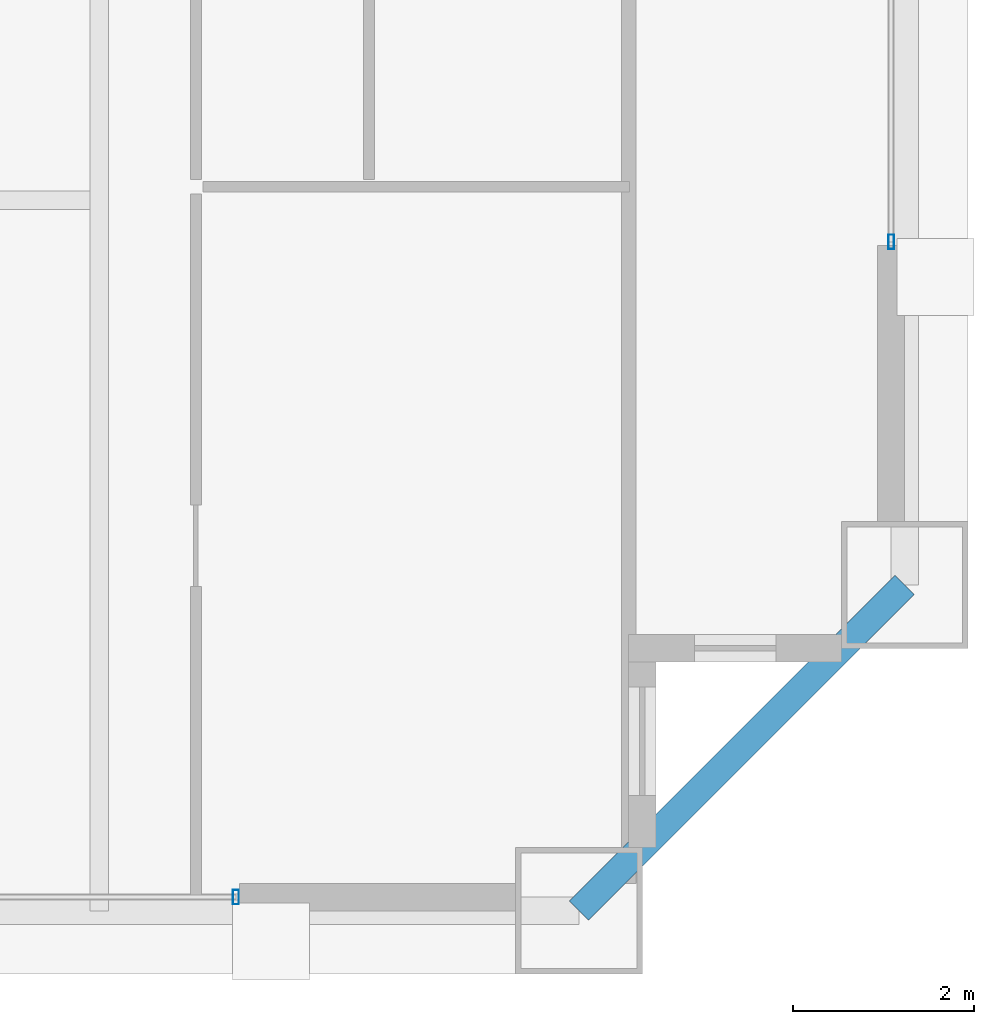
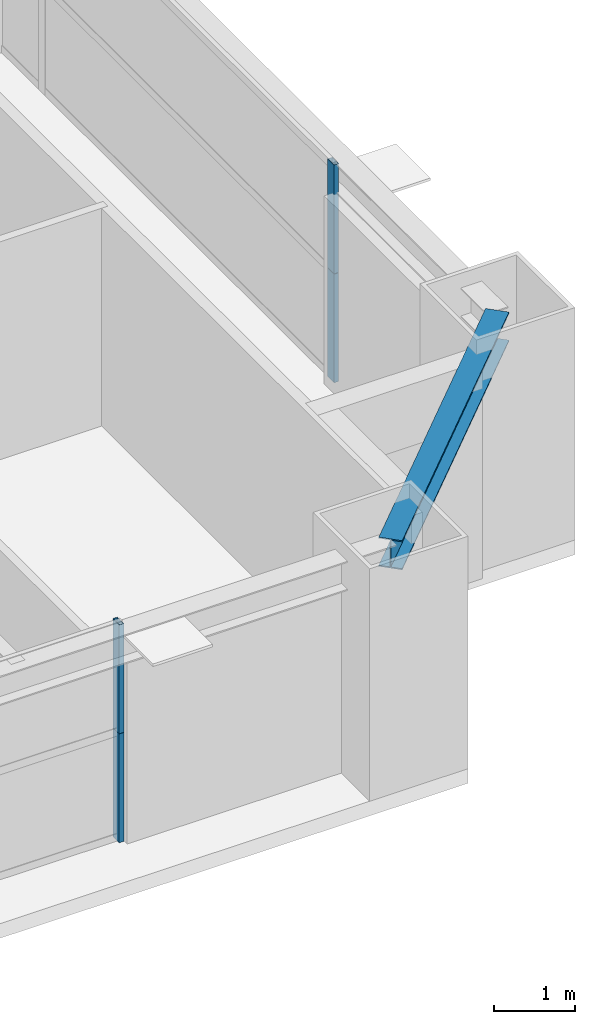
# One storey, part 16 of 38: 4 members, 1 beam, 2 elements without a shape of their own.
"""IFC4 building model written with IfcOpenShell, lengths in metres."""

import ifcopenshell
import ifcopenshell.guid

model = None  # the IFC model being written
_history = None  # IfcOwnerHistory: only IFC2X3 demands one
_inside = {}  # id of a spatial element -> (the spatial element, [elements in it])
_under = {}  # id of a project, library or spatial element -> (it, [spatial elements below it])
_declared = {}  # id of a project -> (the project, [libraries it declares])
_typed = {}  # id of a type object -> (the type object, [elements of that type])
_made_of = {}  # id of a material, layer set ... -> (it, [elements and type objects made of it])


def new_model(schema):
    """Start an empty IFC model of exactly this schema.

    Asked for "IFC4X3", IfcOpenShell would pick the latest addendum, in which some entities
    have other attributes; the version numbers below select the first issue.
    IFC2X3 requires an IfcOwnerHistory on every rooted entity: one is made here for all.
    """
    global model, _history
    if schema == "IFC4X3":
        model = ifcopenshell.file(schema_version=(4, 3, 0, 0))
    else:
        model = ifcopenshell.file(schema=schema)
    _inside.clear()
    _under.clear()
    _declared.clear()
    _typed.clear()
    _made_of.clear()
    _history = None
    if model.schema == "IFC2X3":
        org = make("IfcOrganization", Name="unknown")
        user = make(
            "IfcPersonAndOrganization",
            ThePerson=make("IfcPerson", FamilyName="unknown"),
            TheOrganization=org,
        )
        app = make(
            "IfcApplication",
            ApplicationDeveloper=org,
            Version="unknown",
            ApplicationFullName="unknown",
            ApplicationIdentifier="unknown",
        )
        _history = make(
            "IfcOwnerHistory",
            OwningUser=user,
            OwningApplication=app,
            ChangeAction="ADDED",
            CreationDate=0,
        )
    return model


def make(cls, **values):
    """One entity of the class cls with the attributes given. An attribute that is None is left unset."""
    return model.create_entity(
        cls, **{name: value for name, value in values.items() if value is not None}
    )


def rooted(cls, **values):
    """An entity with a GlobalId (a new one), such as an element, a storey or a relation."""
    return make(cls, GlobalId=ifcopenshell.guid.new(), OwnerHistory=_history, **values)


def si_unit(unit_type, name, prefix=None):
    """IfcSIUnit, for example si_unit("LENGTHUNIT", "METRE", prefix="MILLI")."""
    return make("IfcSIUnit", UnitType=unit_type, Prefix=prefix, Name=name)


def assignment(units):
    """IfcUnitAssignment: the units of a project."""
    return None if units is None else make("IfcUnitAssignment", Units=units)


def point(xyz):
    """IfcCartesianPoint."""
    return None if xyz is None else make("IfcCartesianPoint", Coordinates=xyz)


def direction(xyz):
    """IfcDirection."""
    return None if xyz is None else make("IfcDirection", DirectionRatios=xyz)


def frame(location, z_axis=None, x_axis=None):
    """IfcAxis2Placement3D, a coordinate frame: its origin and axes. An axis left out is left unset."""
    return make(
        "IfcAxis2Placement3D",
        Location=point(location),
        Axis=direction(z_axis),
        RefDirection=direction(x_axis),
    )


def frame_2d(location, x_axis=None):
    """IfcAxis2Placement2D, a coordinate frame in the plane: its origin and x axis."""
    return make(
        "IfcAxis2Placement2D", Location=point(location), RefDirection=direction(x_axis)
    )


def origin():
    """The frame at (0, 0, 0) with its axes left unset."""
    return frame((0.0, 0.0, 0.0))


def origin_2d():
    """The frame at (0, 0) in the plane with its x axis left unset."""
    return frame_2d((0.0, 0.0))


def place(relative_to, where):
    """IfcLocalPlacement: puts the frame where relative to a parent placement (None: the world)."""
    return make(
        "IfcLocalPlacement", PlacementRelTo=relative_to, RelativePlacement=where
    )


def context(
    kind, dimensions, precision=None, world=None, true_north=None, identifier=None
):
    """IfcGeometricRepresentationContext, for example the 3D "Model" context."""
    return make(
        "IfcGeometricRepresentationContext",
        ContextIdentifier=identifier,
        ContextType=kind,
        CoordinateSpaceDimension=dimensions,
        Precision=precision,
        WorldCoordinateSystem=world,
        TrueNorth=true_north,
    )


def subcontext(parent, identifier, kind, view, scale=None):
    """IfcGeometricRepresentationSubContext, for example "Body" below "Model"."""
    return make(
        "IfcGeometricRepresentationSubContext",
        ContextIdentifier=identifier,
        ContextType=kind,
        ParentContext=parent,
        TargetScale=scale,
        TargetView=view,
    )


def project(units=None, contexts=None):
    """IfcProject with its units and contexts."""
    return rooted(
        "IfcProject",
        Name="project",
        RepresentationContexts=contexts,
        UnitsInContext=assignment(units),
    )


def spatial(cls, under=None, at=None, **own):
    """A site, building, storey or space (cls), placed at a placement, below another one or the project."""
    s = rooted(cls, ObjectPlacement=at, **own)
    if under is not None:
        _under.setdefault(under.id(), (under, []))[1].append(s)
    return s


def profile(cls, at=None, kind="AREA", **sizes):
    """A parametric profile (cls). Its sizes go by their IFC names, for example OverallWidth=200.0."""
    return make(cls, ProfileType=kind, Position=at, **sizes)


def hollow_rectangle(**sizes):
    """IfcRectangleHollowProfileDef."""
    return profile("IfcRectangleHollowProfileDef", **sizes)


def i_section(**sizes):
    """IfcIShapeProfileDef."""
    return profile("IfcIShapeProfileDef", **sizes)


def extrude(swept, where, along, depth):
    """IfcExtrudedAreaSolid: the profile swept, set in the frame where, extruded along a direction by depth."""
    return make(
        "IfcExtrudedAreaSolid",
        SweptArea=swept,
        Position=where,
        ExtrudedDirection=direction(along),
        Depth=depth,
    )


def shape(context_of_items, identifier, shape_type, items):
    """IfcShapeRepresentation: the items that make up one representation, for example the "Body"."""
    return make(
        "IfcShapeRepresentation",
        ContextOfItems=context_of_items,
        RepresentationIdentifier=identifier,
        RepresentationType=shape_type,
        Items=items,
    )


def source(mapping_origin, context_of_items, identifier, shape_type, items):
    """IfcRepresentationMap: a shape defined once, which mapped items show again and again."""
    return make(
        "IfcRepresentationMap",
        MappingOrigin=mapping_origin,
        MappedRepresentation=shape(context_of_items, identifier, shape_type, items),
    )


def transform(
    local_origin,
    x_axis=None,
    y_axis=None,
    z_axis=None,
    scale=None,
    scale2=None,
    scale3=None,
    uniform=True,
):
    """IfcCartesianTransformationOperator3D, or its non-uniform kind. x_axis, y_axis, z_axis: its Axis1, 2, 3."""
    if uniform:
        return make(
            "IfcCartesianTransformationOperator3D",
            Axis1=direction(x_axis),
            Axis2=direction(y_axis),
            LocalOrigin=point(local_origin),
            Scale=scale,
            Axis3=direction(z_axis),
        )
    return make(
        "IfcCartesianTransformationOperator3DnonUniform",
        Axis1=direction(x_axis),
        Axis2=direction(y_axis),
        LocalOrigin=point(local_origin),
        Scale=scale,
        Axis3=direction(z_axis),
        Scale2=scale2,
        Scale3=scale3,
    )


def mapped(mapping_source, mapping_target):
    """IfcMappedItem: shows the shape of a source again, moved by a transform."""
    return make(
        "IfcMappedItem", MappingSource=mapping_source, MappingTarget=mapping_target
    )


def material(Name=None, Category=None):
    """IfcMaterial."""
    return make("IfcMaterial", Name=Name, Category=Category)


def layer(
    of_material, thickness, ventilated=None, Name=None, Category=None, Priority=None
):
    """IfcMaterialLayer: one layer of a wall or slab, of a material (None: an air gap)."""
    return make(
        "IfcMaterialLayer",
        Material=of_material,
        LayerThickness=thickness,
        IsVentilated=ventilated,
        Name=Name,
        Category=Category,
        Priority=Priority,
    )


def layer_set(layers, Name=None):
    """IfcMaterialLayerSet."""
    return make("IfcMaterialLayerSet", MaterialLayers=layers, LayerSetName=Name)


def material_profile(
    of_material, cross_section, Name=None, Category=None, Priority=None
):
    """IfcMaterialProfile: a cross section and its material."""
    return make(
        "IfcMaterialProfile",
        Name=Name,
        Material=of_material,
        Profile=cross_section,
        Priority=Priority,
        Category=Category,
    )


def profile_set(profiles, Name=None, composite=None):
    """IfcMaterialProfileSet."""
    return make(
        "IfcMaterialProfileSet",
        Name=Name,
        MaterialProfiles=profiles,
        CompositeProfile=composite,
    )


def made_of(thing, what):
    """Note that an element or type object is made of a material, layer set ...; save() writes the relation."""
    if what is not None:
        _made_of.setdefault(what.id(), (what, []))[1].append(thing)
    return thing


def type_object(cls, material=None, **own):
    """A type object (cls), such as IfcWallType, which elements share."""
    return made_of(rooted(cls, **own), material)


def element(
    cls,
    number,
    at=None,
    inside=None,
    cuts=None,
    type_object=None,
    material=None,
    context=None,
    identifier="Body",
    shape_type=None,
    held_by="IfcProductDefinitionShape",
    body=None,
    shapes=None,
    **own,
):
    """One element of the class cls, such as IfcWall. Its Tag is "e" and its number.

    at: its placement. inside: the storey or other place that contains it. cuts: it is an
    opening in that element (IfcRelVoidsElement). A single representation is given by context,
    identifier, shape_type and body (its items); several are given by shapes. held_by: the class
    of the entity that holds the representations. save() writes the other relations.
    """
    e = rooted(cls, Tag="e%d" % number, ObjectPlacement=at, **own)
    if body is not None:
        shapes = [shape(context, identifier, shape_type, body)]
    if shapes is not None:
        e.Representation = make(held_by, Representations=shapes)
    if inside is not None:
        _inside.setdefault(inside.id(), (inside, []))[1].append(e)
    if cuts is not None:
        rooted(
            "IfcRelVoidsElement", RelatingBuildingElement=cuts, RelatedOpeningElement=e
        )
    if type_object is not None:
        _typed.setdefault(type_object.id(), (type_object, []))[1].append(e)
    return made_of(e, material)


def aggregate(whole, parts):
    """IfcRelAggregates: a whole, such as a stair, and the parts it consists of."""
    return rooted("IfcRelAggregates", RelatingObject=whole, RelatedObjects=parts)


def save(model, path):
    """Write the relations noted so far, then the file.

    IfcRelAggregates (storeys below a building ...), IfcRelContainedInSpatialStructure (elements
    in a storey), IfcRelDefinesByType, IfcRelAssociatesMaterial and IfcRelDeclares: one each for
    every whole, place, type object, material and project.
    """
    for whole, parts in _under.values():
        aggregate(whole, parts)
    for where, things in _inside.values():
        rooted(
            "IfcRelContainedInSpatialStructure",
            RelatedElements=things,
            RelatingStructure=where,
        )
    for kind, things in _typed.values():
        rooted("IfcRelDefinesByType", RelatedObjects=things, RelatingType=kind)
    for what, things in _made_of.values():
        rooted("IfcRelAssociatesMaterial", RelatedObjects=things, RelatingMaterial=what)
    for by, libraries in _declared.values():
        rooted("IfcRelDeclares", RelatingContext=by, RelatedDefinitions=libraries)
    model.write(path)


model = new_model("IFC4")

# Units and contexts
model_context = context("Model", 3, precision=1e-05, world=origin(), true_north=direction((0.0, 1.0)))
body_context = subcontext(model_context, "Body", "Model", "MODEL_VIEW")
ifc_project = project(units=[si_unit("LENGTHUNIT", "METRE"), si_unit("AREAUNIT", "SQUARE_METRE"), si_unit("VOLUMEUNIT", "CUBIC_METRE"), si_unit("PLANEANGLEUNIT", "RADIAN"), si_unit("MASSUNIT", "GRAM", prefix="KILO"), si_unit("THERMODYNAMICTEMPERATUREUNIT", "KELVIN"), si_unit("POWERUNIT", "WATT")], contexts=[model_context])

# Site, building, storey
site_placement = place(None, origin())
site = spatial("IfcSite", under=ifc_project, at=site_placement, CompositionType="ELEMENT")
building_placement = place(site_placement, origin())
building = spatial("IfcBuilding", under=site, at=building_placement, Name="Yuzanri Waterfront Tower", CompositionType="ELEMENT")
storey_placement = place(building_placement, frame((0.0, 0.0, 202.0)))
storey = spatial("IfcBuildingStorey", under=building, at=storey_placement, Name="L53", CompositionType="ELEMENT", Elevation=202.0)

# Beam
ifc_material_1 = material(Name="Steel Q355B", Category="steel")
ifc_material_profile_1 = material_profile(ifc_material_1, i_section(OverallWidth=0.300048828125, OverallDepth=0.43994140625, WebThickness=0.010986328125, FlangeThickness=0.01806640625, at=origin_2d()), Name="HM 440x300x11x18")
ifc_profile_set_1 = profile_set([ifc_material_profile_1], Name="Steel Q355B")
beam_type = type_object("IfcBeamType", Name="Perimeter Spandrel Q355B HM 440x300", PredefinedType="SPANDREL", material=ifc_profile_set_1)
shared_shape_1 = source(origin(), body_context, "Body", "SweptSolid", [
    extrude(i_section(OverallWidth=0.300048828125, OverallDepth=0.43994140625, WebThickness=0.010986328125, FlangeThickness=0.01806640625, at=origin_2d()), origin(), (0.0, 0.0, 1.0), 5.09130859375),
])
beam_placement = place(storey_placement, frame((55.5, 3.699951171875, 3.06005859375), z_axis=(0.707106781187, 0.707106781187, 0.0), x_axis=(-0.707106781187, 0.707106781187, 0.0)))
element("IfcBeam", 1, at=beam_placement, inside=storey, type_object=beam_type, Name="L53 Perimeter Spandrel S3-E1", PredefinedType="SPANDREL", context=body_context, shape_type="MappedRepresentation", body=[
    mapped(shared_shape_1, transform((0.0, 0.0, 0.0), scale=1.0)),
])

# Curtain wall, members
ifc_material_2 = material(Name="Anodized Architectural Bronze", Category="metal")
ifc_layer = layer(ifc_material_2, 0.159912109375)
ifc_layer_set = layer_set([ifc_layer], Name="Anodized Architectural Bronze")
curtain_wall_type = type_object("IfcCurtainWallType", Name="Anodized Bronze Mid-Rise Residential Acoustic Unitized Curtain Wall 7200", PredefinedType="NOTDEFINED", material=ifc_layer_set)
curtain_wall_1_placement = place(storey_placement, origin())
curtain_wall_1 = element("IfcCurtainWall", 2, at=curtain_wall_1_placement, inside=storey, type_object=curtain_wall_type, Name="L53 Curtain Wall CW-L53-SR", PredefinedType="NOTDEFINED")
ifc_material_3 = material(Name="Anodized Architectural Bronze", Category="metal")
ifc_material_profile_2 = material_profile(ifc_material_3, hollow_rectangle(XDim=0.06494140625, YDim=0.159912109375, WallThickness=0.00341796875, at=origin_2d()), Name="CWM 65x160")
ifc_profile_set_2 = profile_set([ifc_material_profile_2], Name="Anodized Architectural Bronze")
member_type = type_object("IfcMemberType", Name="Anodized Bronze Upper-Zone Curtain-Wall Mullion 65x160", PredefinedType="MULLION", material=ifc_profile_set_2)
shared_shape_2 = source(origin(), body_context, "Body", "SweptSolid", [
    extrude(hollow_rectangle(XDim=0.06494140625, YDim=0.159912109375, WallThickness=0.00341796875, at=origin_2d()), origin(), (0.0, 0.0, 1.0), 1.637939453125),
])
member_1_placement = place(storey_placement, frame((51.7099609375, 3.85009765625, 0.0), z_axis=(0.0, 0.0, 1.0), x_axis=(1.0, 0.0, 0.0)))
member_1 = element("IfcMember", 3, at=member_1_placement, type_object=member_type, Name="CW-L53-SR Lower Mullion 02", PredefinedType="MULLION", context=body_context, shape_type="MappedRepresentation", body=[
    mapped(shared_shape_2, transform((0.0, 0.0, 0.0), scale=1.0)),
])
member_2_placement = place(storey_placement, frame((51.7099609375, 3.85009765625, 1.64208984375), z_axis=(0.0, 0.0, 1.0), x_axis=(1.0, 0.0, 0.0)))
member_2 = element("IfcMember", 4, at=member_2_placement, type_object=member_type, Name="CW-L53-SR Upper Mullion 02", PredefinedType="MULLION", context=body_context, shape_type="MappedRepresentation", body=[
    mapped(shared_shape_2, transform((0.0, 0.0, 0.0), scale=1.0)),
])
aggregate(curtain_wall_1, [member_1, member_2])

curtain_wall_2_placement = place(storey_placement, origin())
curtain_wall_2 = element("IfcCurtainWall", 5, at=curtain_wall_2_placement, inside=storey, type_object=curtain_wall_type, Name="L53 Curtain Wall CW-L53-EL", PredefinedType="NOTDEFINED")
member_3_placement = place(storey_placement, frame((58.949951171875, 11.090087890625, 0.0), z_axis=(0.0, 0.0, 1.0), x_axis=(1.0, 0.0, 0.0)))
member_3 = element("IfcMember", 6, at=member_3_placement, type_object=member_type, Name="CW-L53-EL Lower Mullion 00", PredefinedType="MULLION", context=body_context, shape_type="MappedRepresentation", body=[
    mapped(shared_shape_2, transform((0.0, 0.0, 0.0), scale=1.0)),
])
member_4_placement = place(storey_placement, frame((58.949951171875, 11.090087890625, 1.64208984375), z_axis=(0.0, 0.0, 1.0), x_axis=(1.0, 0.0, 0.0)))
member_4 = element("IfcMember", 7, at=member_4_placement, type_object=member_type, Name="CW-L53-EL Upper Mullion 00", PredefinedType="MULLION", context=body_context, shape_type="MappedRepresentation", body=[
    mapped(shared_shape_2, transform((0.0, 0.0, 0.0), scale=1.0)),
])
aggregate(curtain_wall_2, [member_3, member_4])

save(model, "model.ifc")
